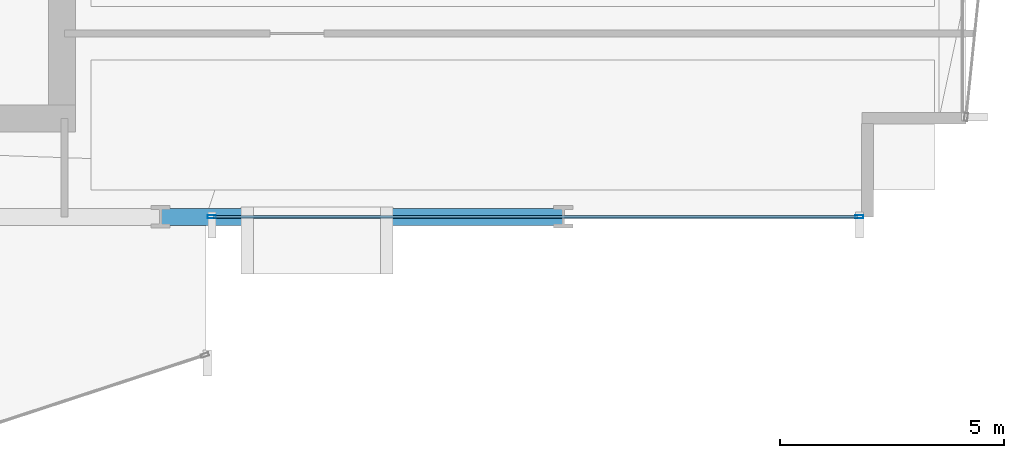
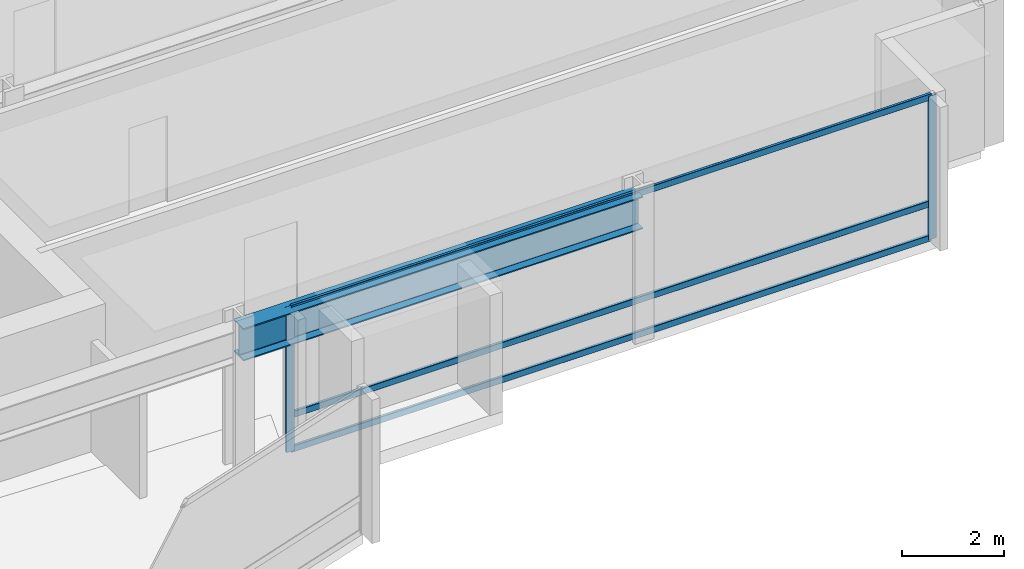
# One storey, part 12 of 34: 5 members, 1 beam, 1 element without a shape of its own.
"""IFC4 building model written with IfcOpenShell, lengths in metres."""

from ifc_helpers import new_model, si_unit, direction, frame, origin, origin_2d, place, context, subcontext, project, spatial, hollow_rectangle, i_section, extrude, material, layer, layer_set, material_profile, profile_set, type_object, element, aggregate, save


model = new_model("IFC4")

# Units and contexts
model_context = context("Model", 3, precision=1e-05, world=origin(), true_north=direction((0.0, 1.0)))
body_context = subcontext(model_context, "Body", "Model", "MODEL_VIEW")
ifc_project = project(units=[si_unit("LENGTHUNIT", "METRE"), si_unit("AREAUNIT", "SQUARE_METRE"), si_unit("VOLUMEUNIT", "CUBIC_METRE"), si_unit("PLANEANGLEUNIT", "RADIAN"), si_unit("MASSUNIT", "GRAM", prefix="KILO")], contexts=[model_context])

# Site, building, storey
site_placement = place(None, origin())
site = spatial("IfcSite", under=ifc_project, at=site_placement, CompositionType="ELEMENT")
building_placement = place(site_placement, origin())
building = spatial("IfcBuilding", under=site, at=building_placement, Name="Solvaryn Broadcast Tower", CompositionType="ELEMENT")
storey_placement = place(building_placement, frame((0.0, 0.0, 50.800048828125)))
storey = spatial("IfcBuildingStorey", under=building, at=storey_placement, Name="L11", CompositionType="ELEMENT", Elevation=50.800048828125)

# Beam
ifc_material_1 = material(Name="Steel ASTM A992 Grade 50", Category="steel")
ifc_material_profile_1 = material_profile(ifc_material_1, i_section(OverallWidth=0.381103515625, OverallDepth=0.77294921875, WebThickness=0.0166015625, FlangeThickness=0.027099609375, FilletRadius=0.01806640625, at=origin_2d()))
ifc_profile_set_1 = profile_set([ifc_material_profile_1], Name="Steel ASTM A992 Grade 50")
beam_type = type_object("IfcBeamType", Name="BM-SP1-W30X173", PredefinedType="USERDEFINED", material=ifc_profile_set_1)
beam_placement = place(storey_placement, frame((45.0, 9.0, 3.033447265625), z_axis=(1.0, 0.0, 0.0), x_axis=(0.0, 1.0, 0.0)))
element("IfcBeam", 1, at=beam_placement, inside=storey, type_object=beam_type, Name="L11 Spandrel Beam X (45-54 @ Y=9)", ObjectType="SPANDREL", PredefinedType="USERDEFINED", context=body_context, shape_type="SweptSolid", body=[
    extrude(i_section(OverallWidth=0.381103515625, OverallDepth=0.77294921875, WebThickness=0.0166015625, FlangeThickness=0.027099609375, FilletRadius=0.01806640625, at=origin_2d()), origin(), (0.0, 0.0, 1.0), 9.0),
])

# Curtain wall, members
ifc_material_2 = material(Name="Aluminium and Terracotta Unitised Curtain Wall", Category="masonry")
ifc_layer = layer(ifc_material_2, 0.199951171875)
ifc_layer_set = layer_set([ifc_layer], Name="CW-SYS2-LOWMID")
curtain_wall_type = type_object("IfcCurtainWallType", Name="CW-SYS2-LOWMID", PredefinedType="NOTDEFINED", material=ifc_layer_set)
curtain_wall_placement = place(storey_placement, origin())
curtain_wall = element("IfcCurtainWall", 2, at=curtain_wall_placement, inside=storey, type_object=curtain_wall_type, Name="L11 Curtain Wall S2", PredefinedType="NOTDEFINED")
ifc_material_3 = material(Name="Anodised Aluminium 6063-T6", Category="aluminium")
ifc_material_profile_2 = material_profile(ifc_material_3, hollow_rectangle(XDim=0.074951171875, YDim=0.179931640625, WallThickness=0.00390625, InnerFilletRadius=0.00390625, OuterFilletRadius=0.008056640625, at=origin_2d()))
ifc_profile_set_2 = profile_set([ifc_material_profile_2], Name="Anodised Aluminium 6063-T6")
member_type_1 = type_object("IfcMemberType", Name="CW-MUL-180", PredefinedType="MULLION", material=ifc_profile_set_2)
member_1_placement = place(storey_placement, frame((46.14599609375, 9.0, 0.0), z_axis=(0.0, 0.0, 1.0), x_axis=(0.0, 1.0, 0.0)))
member_1 = element("IfcMember", 3, at=member_1_placement, type_object=member_type_1, Name="CWS2 mullion 1", PredefinedType="MULLION", context=body_context, shape_type="SweptSolid", body=[
    extrude(hollow_rectangle(XDim=0.074951171875, YDim=0.179931640625, WallThickness=0.00390625, InnerFilletRadius=0.00390625, OuterFilletRadius=0.008056640625, at=origin_2d()), origin(), (0.0, 0.0, 1.0), 3.419921875),
])
member_2_placement = place(storey_placement, frame((60.6201171875, 9.0, 0.0), z_axis=(0.0, 0.0, 1.0), x_axis=(0.0, 1.0, 0.0)))
member_2 = element("IfcMember", 4, at=member_2_placement, type_object=member_type_1, Name="CWS2 mullion 2", PredefinedType="MULLION", context=body_context, shape_type="SweptSolid", body=[
    extrude(hollow_rectangle(XDim=0.074951171875, YDim=0.179931640625, WallThickness=0.00390625, InnerFilletRadius=0.00390625, OuterFilletRadius=0.008056640625, at=origin_2d()), origin(), (0.0, 0.0, 1.0), 3.419921875),
])
ifc_material_4 = material(Name="Anodised Aluminium 6063-T6", Category="aluminium")
ifc_material_profile_3 = material_profile(ifc_material_4, hollow_rectangle(XDim=0.06494140625, YDim=0.14990234375, WallThickness=0.00390625, InnerFilletRadius=0.00390625, OuterFilletRadius=0.008056640625, at=origin_2d()))
ifc_profile_set_3 = profile_set([ifc_material_profile_3], Name="Anodised Aluminium 6063-T6")
member_type_2 = type_object("IfcMemberType", Name="CW-TRN-150", PredefinedType="USERDEFINED", material=ifc_profile_set_3)
member_3_placement = place(storey_placement, frame((46.176025390625, 9.0, 0.030029296875), z_axis=(1.0, 0.0, 0.0), x_axis=(0.0, 1.0, 0.0)))
member_3 = element("IfcMember", 5, at=member_3_placement, type_object=member_type_2, Name="CWS2 transom 1.1", ObjectType="TRANSOM", PredefinedType="USERDEFINED", context=body_context, shape_type="SweptSolid", body=[
    extrude(hollow_rectangle(XDim=0.06494140625, YDim=0.14990234375, WallThickness=0.00390625, InnerFilletRadius=0.00390625, OuterFilletRadius=0.008056640625, at=origin_2d()), origin(), (0.0, 0.0, 1.0), 14.4140625),
])
member_4_placement = place(storey_placement, frame((46.176025390625, 9.0, 0.849853515625), z_axis=(1.0, 0.0, 0.0), x_axis=(0.0, 1.0, 0.0)))
member_4 = element("IfcMember", 6, at=member_4_placement, type_object=member_type_2, Name="CWS2 transom 1.2", ObjectType="TRANSOM", PredefinedType="USERDEFINED", context=body_context, shape_type="SweptSolid", body=[
    extrude(hollow_rectangle(XDim=0.06494140625, YDim=0.14990234375, WallThickness=0.00390625, InnerFilletRadius=0.00390625, OuterFilletRadius=0.008056640625, at=origin_2d()), origin(), (0.0, 0.0, 1.0), 14.4140625),
])
member_5_placement = place(storey_placement, frame((46.176025390625, 9.0, 3.389892578125), z_axis=(1.0, 0.0, 0.0), x_axis=(0.0, 1.0, 0.0)))
member_5 = element("IfcMember", 7, at=member_5_placement, type_object=member_type_2, Name="CWS2 transom 1.3", ObjectType="TRANSOM", PredefinedType="USERDEFINED", context=body_context, shape_type="SweptSolid", body=[
    extrude(hollow_rectangle(XDim=0.06494140625, YDim=0.14990234375, WallThickness=0.00390625, InnerFilletRadius=0.00390625, OuterFilletRadius=0.008056640625, at=origin_2d()), origin(), (0.0, 0.0, 1.0), 14.4140625),
])
aggregate(curtain_wall, [member_1, member_2, member_3, member_4, member_5])

save(model, "model.ifc")
